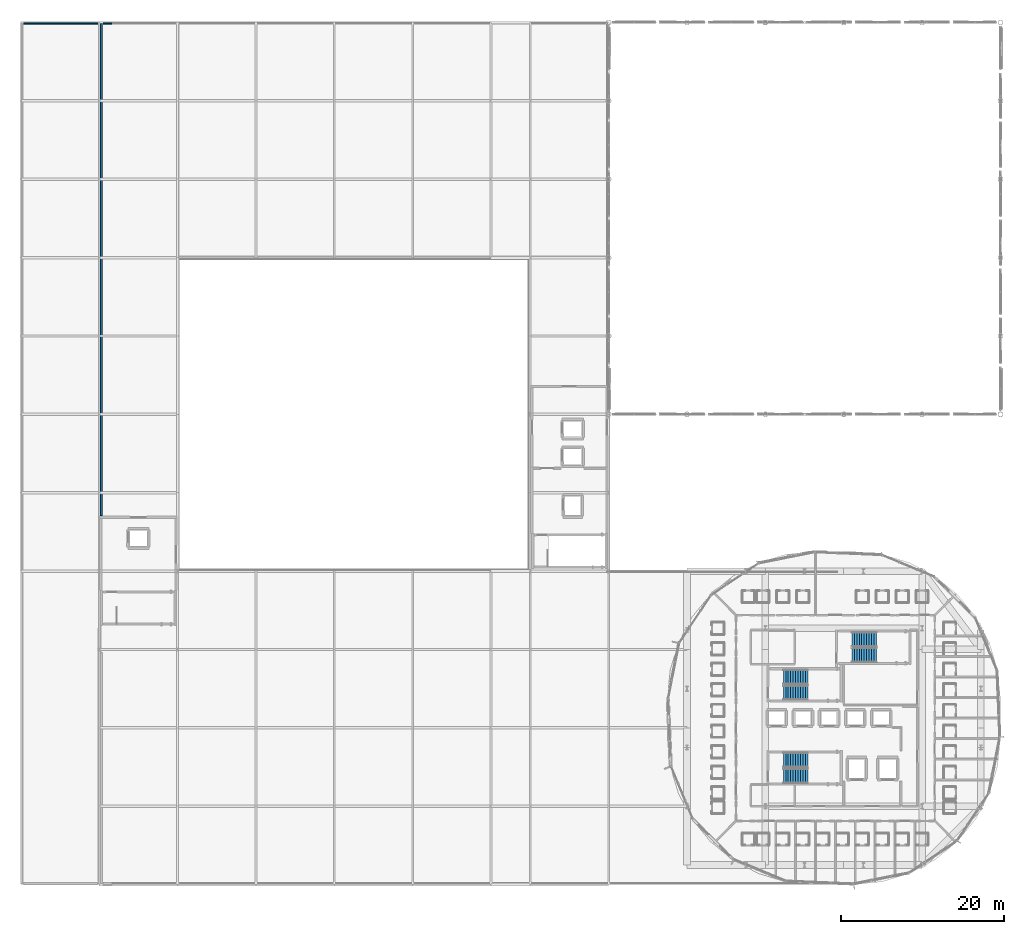
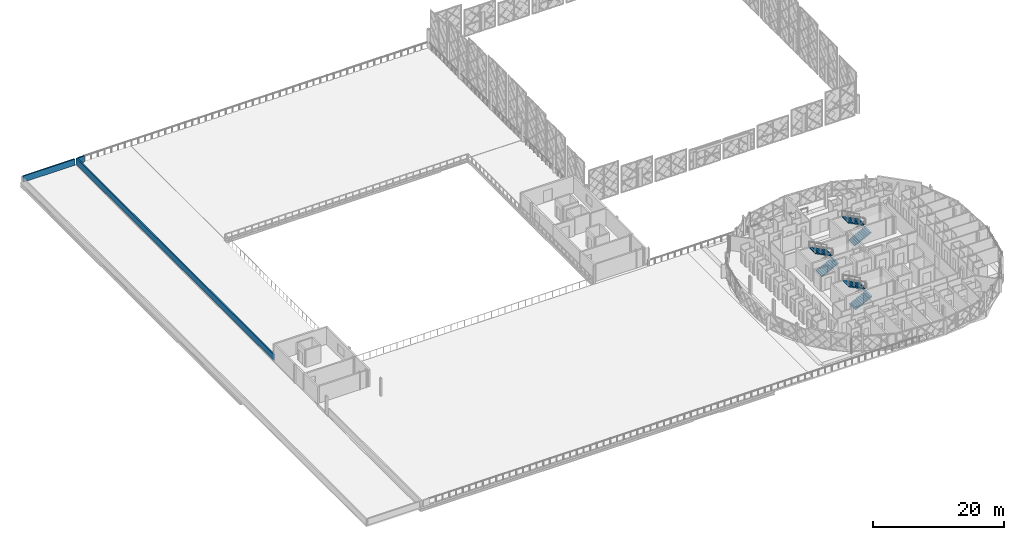
# One storey, part 38 of 53: 6 stair flights, 3 walls, 3 elements without a shape of their own.
"""IFC4 building model written with IfcOpenShell, lengths in metres."""

import ifcopenshell
import ifcopenshell.guid

model = None  # the IFC model being written
_history = None  # IfcOwnerHistory: only IFC2X3 demands one
_inside = {}  # id of a spatial element -> (the spatial element, [elements in it])
_under = {}  # id of a project, library or spatial element -> (it, [spatial elements below it])
_declared = {}  # id of a project -> (the project, [libraries it declares])
_typed = {}  # id of a type object -> (the type object, [elements of that type])
_made_of = {}  # id of a material, layer set ... -> (it, [elements and type objects made of it])


def new_model(schema):
    """Start an empty IFC model of exactly this schema.

    Asked for "IFC4X3", IfcOpenShell would pick the latest addendum, in which some entities
    have other attributes; the version numbers below select the first issue.
    IFC2X3 requires an IfcOwnerHistory on every rooted entity: one is made here for all.
    """
    global model, _history
    if schema == "IFC4X3":
        model = ifcopenshell.file(schema_version=(4, 3, 0, 0))
    else:
        model = ifcopenshell.file(schema=schema)
    _inside.clear()
    _under.clear()
    _declared.clear()
    _typed.clear()
    _made_of.clear()
    _history = None
    if model.schema == "IFC2X3":
        org = make("IfcOrganization", Name="unknown")
        user = make(
            "IfcPersonAndOrganization",
            ThePerson=make("IfcPerson", FamilyName="unknown"),
            TheOrganization=org,
        )
        app = make(
            "IfcApplication",
            ApplicationDeveloper=org,
            Version="unknown",
            ApplicationFullName="unknown",
            ApplicationIdentifier="unknown",
        )
        _history = make(
            "IfcOwnerHistory",
            OwningUser=user,
            OwningApplication=app,
            ChangeAction="ADDED",
            CreationDate=0,
        )
    return model


def make(cls, **values):
    """One entity of the class cls with the attributes given. An attribute that is None is left unset."""
    return model.create_entity(
        cls, **{name: value for name, value in values.items() if value is not None}
    )


def rooted(cls, **values):
    """An entity with a GlobalId (a new one), such as an element, a storey or a relation."""
    return make(cls, GlobalId=ifcopenshell.guid.new(), OwnerHistory=_history, **values)


def si_unit(unit_type, name, prefix=None):
    """IfcSIUnit, for example si_unit("LENGTHUNIT", "METRE", prefix="MILLI")."""
    return make("IfcSIUnit", UnitType=unit_type, Prefix=prefix, Name=name)


def assignment(units):
    """IfcUnitAssignment: the units of a project."""
    return None if units is None else make("IfcUnitAssignment", Units=units)


def point(xyz):
    """IfcCartesianPoint."""
    return None if xyz is None else make("IfcCartesianPoint", Coordinates=xyz)


def direction(xyz):
    """IfcDirection."""
    return None if xyz is None else make("IfcDirection", DirectionRatios=xyz)


def frame(location, z_axis=None, x_axis=None):
    """IfcAxis2Placement3D, a coordinate frame: its origin and axes. An axis left out is left unset."""
    return make(
        "IfcAxis2Placement3D",
        Location=point(location),
        Axis=direction(z_axis),
        RefDirection=direction(x_axis),
    )


def frame_2d(location, x_axis=None):
    """IfcAxis2Placement2D, a coordinate frame in the plane: its origin and x axis."""
    return make(
        "IfcAxis2Placement2D", Location=point(location), RefDirection=direction(x_axis)
    )


def origin():
    """The frame at (0, 0, 0) with its axes left unset."""
    return frame((0.0, 0.0, 0.0))


def place(relative_to, where):
    """IfcLocalPlacement: puts the frame where relative to a parent placement (None: the world)."""
    return make(
        "IfcLocalPlacement", PlacementRelTo=relative_to, RelativePlacement=where
    )


def context(
    kind, dimensions, precision=None, world=None, true_north=None, identifier=None
):
    """IfcGeometricRepresentationContext, for example the 3D "Model" context."""
    return make(
        "IfcGeometricRepresentationContext",
        ContextIdentifier=identifier,
        ContextType=kind,
        CoordinateSpaceDimension=dimensions,
        Precision=precision,
        WorldCoordinateSystem=world,
        TrueNorth=true_north,
    )


def subcontext(parent, identifier, kind, view, scale=None):
    """IfcGeometricRepresentationSubContext, for example "Body" below "Model"."""
    return make(
        "IfcGeometricRepresentationSubContext",
        ContextIdentifier=identifier,
        ContextType=kind,
        ParentContext=parent,
        TargetScale=scale,
        TargetView=view,
    )


def project(units=None, contexts=None):
    """IfcProject with its units and contexts."""
    return rooted(
        "IfcProject",
        Name="project",
        RepresentationContexts=contexts,
        UnitsInContext=assignment(units),
    )


def spatial(cls, under=None, at=None, **own):
    """A site, building, storey or space (cls), placed at a placement, below another one or the project."""
    s = rooted(cls, ObjectPlacement=at, **own)
    if under is not None:
        _under.setdefault(under.id(), (under, []))[1].append(s)
    return s


def polyline(points):
    """IfcPolyline through the points."""
    return make("IfcPolyline", Points=[point(p) for p in points])


def profile(cls, at=None, kind="AREA", **sizes):
    """A parametric profile (cls). Its sizes go by their IFC names, for example OverallWidth=200.0."""
    return make(cls, ProfileType=kind, Position=at, **sizes)


def rectangle(**sizes):
    """IfcRectangleProfileDef."""
    return profile("IfcRectangleProfileDef", **sizes)


def outline(outer, holes=None, kind="AREA"):
    """IfcArbitraryClosedProfileDef: a profile drawn as a closed curve; with holes, ...WithVoids."""
    if holes is None:
        return make("IfcArbitraryClosedProfileDef", ProfileType=kind, OuterCurve=outer)
    return make(
        "IfcArbitraryProfileDefWithVoids",
        ProfileType=kind,
        OuterCurve=outer,
        InnerCurves=holes,
    )


def extrude(swept, where, along, depth):
    """IfcExtrudedAreaSolid: the profile swept, set in the frame where, extruded along a direction by depth."""
    return make(
        "IfcExtrudedAreaSolid",
        SweptArea=swept,
        Position=where,
        ExtrudedDirection=direction(along),
        Depth=depth,
    )


def shape(context_of_items, identifier, shape_type, items):
    """IfcShapeRepresentation: the items that make up one representation, for example the "Body"."""
    return make(
        "IfcShapeRepresentation",
        ContextOfItems=context_of_items,
        RepresentationIdentifier=identifier,
        RepresentationType=shape_type,
        Items=items,
    )


def material(Name=None, Category=None):
    """IfcMaterial."""
    return make("IfcMaterial", Name=Name, Category=Category)


def layer(
    of_material, thickness, ventilated=None, Name=None, Category=None, Priority=None
):
    """IfcMaterialLayer: one layer of a wall or slab, of a material (None: an air gap)."""
    return make(
        "IfcMaterialLayer",
        Material=of_material,
        LayerThickness=thickness,
        IsVentilated=ventilated,
        Name=Name,
        Category=Category,
        Priority=Priority,
    )


def layer_set(layers, Name=None):
    """IfcMaterialLayerSet."""
    return make("IfcMaterialLayerSet", MaterialLayers=layers, LayerSetName=Name)


def made_of(thing, what):
    """Note that an element or type object is made of a material, layer set ...; save() writes the relation."""
    if what is not None:
        _made_of.setdefault(what.id(), (what, []))[1].append(thing)
    return thing


def type_object(cls, material=None, **own):
    """A type object (cls), such as IfcWallType, which elements share."""
    return made_of(rooted(cls, **own), material)


def element(
    cls,
    number,
    at=None,
    inside=None,
    cuts=None,
    type_object=None,
    material=None,
    context=None,
    identifier="Body",
    shape_type=None,
    held_by="IfcProductDefinitionShape",
    body=None,
    shapes=None,
    **own,
):
    """One element of the class cls, such as IfcWall. Its Tag is "e" and its number.

    at: its placement. inside: the storey or other place that contains it. cuts: it is an
    opening in that element (IfcRelVoidsElement). A single representation is given by context,
    identifier, shape_type and body (its items); several are given by shapes. held_by: the class
    of the entity that holds the representations. save() writes the other relations.
    """
    e = rooted(cls, Tag="e%d" % number, ObjectPlacement=at, **own)
    if body is not None:
        shapes = [shape(context, identifier, shape_type, body)]
    if shapes is not None:
        e.Representation = make(held_by, Representations=shapes)
    if inside is not None:
        _inside.setdefault(inside.id(), (inside, []))[1].append(e)
    if cuts is not None:
        rooted(
            "IfcRelVoidsElement", RelatingBuildingElement=cuts, RelatedOpeningElement=e
        )
    if type_object is not None:
        _typed.setdefault(type_object.id(), (type_object, []))[1].append(e)
    return made_of(e, material)


def aggregate(whole, parts):
    """IfcRelAggregates: a whole, such as a stair, and the parts it consists of."""
    return rooted("IfcRelAggregates", RelatingObject=whole, RelatedObjects=parts)


def save(model, path):
    """Write the relations noted so far, then the file.

    IfcRelAggregates (storeys below a building ...), IfcRelContainedInSpatialStructure (elements
    in a storey), IfcRelDefinesByType, IfcRelAssociatesMaterial and IfcRelDeclares: one each for
    every whole, place, type object, material and project.
    """
    for whole, parts in _under.values():
        aggregate(whole, parts)
    for where, things in _inside.values():
        rooted(
            "IfcRelContainedInSpatialStructure",
            RelatedElements=things,
            RelatingStructure=where,
        )
    for kind, things in _typed.values():
        rooted("IfcRelDefinesByType", RelatedObjects=things, RelatingType=kind)
    for what, things in _made_of.values():
        rooted("IfcRelAssociatesMaterial", RelatedObjects=things, RelatingMaterial=what)
    for by, libraries in _declared.values():
        rooted("IfcRelDeclares", RelatingContext=by, RelatedDefinitions=libraries)
    model.write(path)


model = new_model("IFC4")

# Units and contexts
model_context = context("Model", 3, precision=1e-05, world=origin(), true_north=direction((0.0, 1.0)))
body_context = subcontext(model_context, "Body", "Model", "MODEL_VIEW")
ifc_project = project(units=[si_unit("LENGTHUNIT", "METRE"), si_unit("AREAUNIT", "SQUARE_METRE"), si_unit("VOLUMEUNIT", "CUBIC_METRE"), si_unit("PLANEANGLEUNIT", "RADIAN"), si_unit("MASSUNIT", "GRAM", prefix="KILO")], contexts=[model_context])

# Site, building, storey
site_placement = place(None, origin())
site = spatial("IfcSite", under=ifc_project, at=site_placement, CompositionType="ELEMENT")
building_placement = place(site_placement, origin())
building = spatial("IfcBuilding", under=site, at=building_placement, Name="Zevrakil Square Congress Hotel", CompositionType="ELEMENT")
storey_placement = place(building_placement, frame((0.0, 0.0, 14.699951171875)))
storey = spatial("IfcBuildingStorey", under=building, at=storey_placement, Name="L04", CompositionType="ELEMENT", Elevation=14.699951171875)

# Walls
ifc_material_1 = material(Name="Precast concrete C40/50", Category="concrete")
ifc_layer_1 = layer(ifc_material_1, 0.219970703125)
ifc_layer_set_1 = layer_set([ifc_layer_1], Name="Precast concrete C40/50")
wall_type = type_object("IfcWallType", Name="WAL-PARAPET-220", PredefinedType="PARAPET", material=ifc_layer_set_1)
wall_1_placement = place(storey_placement, frame((45.949951171875, 112.679931640625, 0.0), z_axis=(0.0, 0.0, 1.0), x_axis=(1.0, 0.0, 0.0)))
element("IfcWall", 1, at=wall_1_placement, inside=storey, type_object=wall_type, Name="L04 west green roof perimeter parapet 2", PredefinedType="PARAPET", context=body_context, shape_type="SweptSolid", body=[
    extrude(rectangle(XDim=9.10009765625, YDim=0.219970703125, at=frame_2d((4.550048828125, 0.0))), origin(), (0.0, 0.0, 1.0), 1.150146484375),
])
wall_2_placement = place(storey_placement, frame((55.449951171875, 52.35009765625, 0.0), z_axis=(0.0, 0.0, 1.0), x_axis=(0.0, 1.0, 0.0)))
element("IfcWall", 2, at=wall_2_placement, inside=storey, type_object=wall_type, Name="L04 west green roof perimeter parapet 5", PredefinedType="PARAPET", context=body_context, shape_type="SweptSolid", body=[
    extrude(rectangle(XDim=60.329833984375, YDim=0.219970703125, at=frame_2d((30.1650390625, 0.0))), origin(), (0.0, 0.0, 1.0), 1.150146484375),
])
wall_3_placement = place(storey_placement, frame((55.679931640625, 112.679931640625, 0.0), z_axis=(0.0, 0.0, 1.0), x_axis=(1.0, 0.0, 0.0)))
element("IfcWall", 3, at=wall_3_placement, inside=storey, type_object=wall_type, Name="L04 west green roof perimeter parapet 6", PredefinedType="PARAPET", context=body_context, shape_type="SweptSolid", body=[
    extrude(rectangle(XDim=1.070068359375, YDim=0.219970703125, at=frame_2d((0.53515625, 0.0))), origin(), (0.0, 0.0, 1.0), 1.150146484375),
])

# Stair, stair flights
ifc_material_2 = material(Name="Concrete C35/45", Category="concrete")
stair_type = type_object("IfcStairType", Name="STR-DOGLEG-180", PredefinedType="HALF_TURN_STAIR", material=ifc_material_2)
stair_1_placement = place(storey_placement, origin())
stair_1 = element("IfcStair", 4, at=stair_1_placement, inside=storey, type_object=stair_type, Name="L04 Protected exit stair ST01", PredefinedType="HALF_TURN_STAIR")
ifc_material_3 = material(Name="Concrete C35/45", Category="concrete")
ifc_layer_2 = layer(ifc_material_3, 0.159912109375)
ifc_layer_set_2 = layer_set([ifc_layer_2], Name="Concrete C35/45")
stair_flight_type = type_object("IfcStairFlightType", Name="SFL-STRAIGHT-180", PredefinedType="STRAIGHT", material=ifc_layer_set_2)
stair_flight_1_placement = place(storey_placement, frame((139.0, 20.5, 0.0), z_axis=(0.0, 0.0, 1.0), x_axis=(1.0, 0.0, 0.0)))
stair_flight_1 = element("IfcStairFlight", 5, at=stair_flight_1_placement, type_object=stair_flight_type, Name="ST01 flight 1", NumberOfRisers=11, NumberOfTreads=10, PredefinedType="STRAIGHT", RiserHeight=0.154545455, TreadLength=0.3, context=body_context, shape_type="SweptSolid", body=[
    extrude(outline(polyline([(0.0, 0.0), (0.0, 0.154541015625), (0.300048828125, 0.154541015625), (0.300048828125, 0.30908203125), (0.60009765625, 0.30908203125), (0.60009765625, 0.463623046875), (0.89990234375, 0.463623046875), (0.89990234375, 0.6181640625), (1.199951171875, 0.6181640625), (1.199951171875, 0.772705078125), (1.5, 0.772705078125), (1.5, 0.92724609375), (1.800048828125, 0.92724609375), (1.800048828125, 1.081787109375), (2.10009765625, 1.081787109375), (2.10009765625, 1.236328125), (2.39990234375, 1.236328125), (2.39990234375, 1.390869140625), (2.699951171875, 1.390869140625), (2.699951171875, 1.54541015625), (3.0, 1.54541015625), (3.0, 1.699951171875), (3.0, 1.376708984375), (0.327392578125, 0.0), (0.0, 0.0)])), frame((0.0, 0.89990234375, 0.0), z_axis=(0.0, -1.0, 0.0), x_axis=(1.0, 0.0, 0.0)), (0.0, 0.0, 1.0), 1.800048828125),
])
stair_flight_2_placement = place(storey_placement, frame((142.0, 22.449951171875, 1.699951171875), z_axis=(0.0, 0.0, 1.0), x_axis=(-1.0, 0.0, 0.0)))
stair_flight_2 = element("IfcStairFlight", 6, at=stair_flight_2_placement, type_object=stair_flight_type, Name="ST01 flight 2", NumberOfRisers=11, NumberOfTreads=10, PredefinedType="STRAIGHT", RiserHeight=0.154545455, TreadLength=0.3, context=body_context, shape_type="SweptSolid", body=[
    extrude(outline(polyline([(0.0, 0.0), (0.0, 0.154541015625), (0.300048828125, 0.154541015625), (0.300048828125, 0.30908203125), (0.60009765625, 0.30908203125), (0.60009765625, 0.463623046875), (0.89990234375, 0.463623046875), (0.89990234375, 0.6181640625), (1.199951171875, 0.6181640625), (1.199951171875, 0.772705078125), (1.5, 0.772705078125), (1.5, 0.92724609375), (1.800048828125, 0.92724609375), (1.800048828125, 1.081787109375), (2.10009765625, 1.081787109375), (2.10009765625, 1.236328125), (2.39990234375, 1.236328125), (2.39990234375, 1.390869140625), (2.699951171875, 1.390869140625), (2.699951171875, 1.54541015625), (3.0, 1.54541015625), (3.0, 1.699951171875), (3.0, 1.376708984375), (0.327392578125, 0.0), (0.0, 0.0)])), frame((0.0, 0.89990234375, 0.0), z_axis=(0.0, -1.0, 0.0), x_axis=(1.0, 0.0, 0.0)), (0.0, 0.0, 1.0), 1.800048828125),
])
aggregate(stair_1, [stair_flight_1, stair_flight_2])

stair_2_placement = place(storey_placement, origin())
stair_2 = element("IfcStair", 7, at=stair_2_placement, inside=storey, type_object=stair_type, Name="L04 Protected exit stair ST02", PredefinedType="HALF_TURN_STAIR")
stair_flight_3_placement = place(storey_placement, frame((139.0, 30.699951171875, 0.0), z_axis=(0.0, 0.0, 1.0), x_axis=(1.0, 0.0, 0.0)))
stair_flight_3 = element("IfcStairFlight", 8, at=stair_flight_3_placement, type_object=stair_flight_type, Name="ST02 flight 1", NumberOfRisers=11, NumberOfTreads=10, PredefinedType="STRAIGHT", RiserHeight=0.154545455, TreadLength=0.3, context=body_context, shape_type="SweptSolid", body=[
    extrude(outline(polyline([(0.0, 0.0), (0.0, 0.154541015625), (0.300048828125, 0.154541015625), (0.300048828125, 0.30908203125), (0.60009765625, 0.30908203125), (0.60009765625, 0.463623046875), (0.89990234375, 0.463623046875), (0.89990234375, 0.6181640625), (1.199951171875, 0.6181640625), (1.199951171875, 0.772705078125), (1.5, 0.772705078125), (1.5, 0.92724609375), (1.800048828125, 0.92724609375), (1.800048828125, 1.081787109375), (2.10009765625, 1.081787109375), (2.10009765625, 1.236328125), (2.39990234375, 1.236328125), (2.39990234375, 1.390869140625), (2.699951171875, 1.390869140625), (2.699951171875, 1.54541015625), (3.0, 1.54541015625), (3.0, 1.699951171875), (3.0, 1.376708984375), (0.327392578125, 0.0), (0.0, 0.0)])), frame((0.0, 0.89990234375, 0.0), z_axis=(0.0, -1.0, 0.0), x_axis=(1.0, 0.0, 0.0)), (0.0, 0.0, 1.0), 1.800048828125),
])
stair_flight_4_placement = place(storey_placement, frame((142.0, 32.64990234375, 1.699951171875), z_axis=(0.0, 0.0, 1.0), x_axis=(-1.0, 0.0, 0.0)))
stair_flight_4 = element("IfcStairFlight", 9, at=stair_flight_4_placement, type_object=stair_flight_type, Name="ST02 flight 2", NumberOfRisers=11, NumberOfTreads=10, PredefinedType="STRAIGHT", RiserHeight=0.154545455, TreadLength=0.3, context=body_context, shape_type="SweptSolid", body=[
    extrude(outline(polyline([(0.0, 0.0), (0.0, 0.154541015625), (0.300048828125, 0.154541015625), (0.300048828125, 0.30908203125), (0.60009765625, 0.30908203125), (0.60009765625, 0.463623046875), (0.89990234375, 0.463623046875), (0.89990234375, 0.6181640625), (1.199951171875, 0.6181640625), (1.199951171875, 0.772705078125), (1.5, 0.772705078125), (1.5, 0.92724609375), (1.800048828125, 0.92724609375), (1.800048828125, 1.081787109375), (2.10009765625, 1.081787109375), (2.10009765625, 1.236328125), (2.39990234375, 1.236328125), (2.39990234375, 1.390869140625), (2.699951171875, 1.390869140625), (2.699951171875, 1.54541015625), (3.0, 1.54541015625), (3.0, 1.699951171875), (3.0, 1.376708984375), (0.327392578125, 0.0), (0.0, 0.0)])), frame((0.0, 0.89990234375, 0.0), z_axis=(0.0, -1.0, 0.0), x_axis=(1.0, 0.0, 0.0)), (0.0, 0.0, 1.0), 1.800048828125),
])
aggregate(stair_2, [stair_flight_3, stair_flight_4])

stair_3_placement = place(storey_placement, origin())
stair_3 = element("IfcStair", 10, at=stair_3_placement, inside=storey, type_object=stair_type, Name="L04 Protected exit stair ST03", PredefinedType="HALF_TURN_STAIR")
stair_flight_5_placement = place(storey_placement, frame((147.39990234375, 35.300048828125, 0.0), z_axis=(0.0, 0.0, 1.0), x_axis=(1.0, 0.0, 0.0)))
stair_flight_5 = element("IfcStairFlight", 11, at=stair_flight_5_placement, type_object=stair_flight_type, Name="ST03 flight 1", NumberOfRisers=11, NumberOfTreads=10, PredefinedType="STRAIGHT", RiserHeight=0.154545455, TreadLength=0.3, context=body_context, shape_type="SweptSolid", body=[
    extrude(outline(polyline([(0.0, 0.0), (0.0, 0.154541015625), (0.300048828125, 0.154541015625), (0.300048828125, 0.30908203125), (0.60009765625, 0.30908203125), (0.60009765625, 0.463623046875), (0.89990234375, 0.463623046875), (0.89990234375, 0.6181640625), (1.199951171875, 0.6181640625), (1.199951171875, 0.772705078125), (1.5, 0.772705078125), (1.5, 0.92724609375), (1.800048828125, 0.92724609375), (1.800048828125, 1.081787109375), (2.10009765625, 1.081787109375), (2.10009765625, 1.236328125), (2.39990234375, 1.236328125), (2.39990234375, 1.390869140625), (2.699951171875, 1.390869140625), (2.699951171875, 1.54541015625), (3.0, 1.54541015625), (3.0, 1.699951171875), (3.0, 1.376708984375), (0.327392578125, 0.0), (0.0, 0.0)])), frame((0.0, 0.89990234375, 0.0), z_axis=(0.0, -1.0, 0.0), x_axis=(1.0, 0.0, 0.0)), (0.0, 0.0, 1.0), 1.800048828125),
])
stair_flight_6_placement = place(storey_placement, frame((150.39990234375, 37.25, 1.699951171875), z_axis=(0.0, 0.0, 1.0), x_axis=(-1.0, 0.0, 0.0)))
stair_flight_6 = element("IfcStairFlight", 12, at=stair_flight_6_placement, type_object=stair_flight_type, Name="ST03 flight 2", NumberOfRisers=11, NumberOfTreads=10, PredefinedType="STRAIGHT", RiserHeight=0.154545455, TreadLength=0.3, context=body_context, shape_type="SweptSolid", body=[
    extrude(outline(polyline([(0.0, 0.0), (0.0, 0.154541015625), (0.300048828125, 0.154541015625), (0.300048828125, 0.30908203125), (0.60009765625, 0.30908203125), (0.60009765625, 0.463623046875), (0.89990234375, 0.463623046875), (0.89990234375, 0.6181640625), (1.199951171875, 0.6181640625), (1.199951171875, 0.772705078125), (1.5, 0.772705078125), (1.5, 0.92724609375), (1.800048828125, 0.92724609375), (1.800048828125, 1.081787109375), (2.10009765625, 1.081787109375), (2.10009765625, 1.236328125), (2.39990234375, 1.236328125), (2.39990234375, 1.390869140625), (2.699951171875, 1.390869140625), (2.699951171875, 1.54541015625), (3.0, 1.54541015625), (3.0, 1.699951171875), (3.0, 1.376708984375), (0.327392578125, 0.0), (0.0, 0.0)])), frame((0.0, 0.89990234375, 0.0), z_axis=(0.0, -1.0, 0.0), x_axis=(1.0, 0.0, 0.0)), (0.0, 0.0, 1.0), 1.800048828125),
])
aggregate(stair_3, [stair_flight_5, stair_flight_6])

save(model, "model.ifc")
